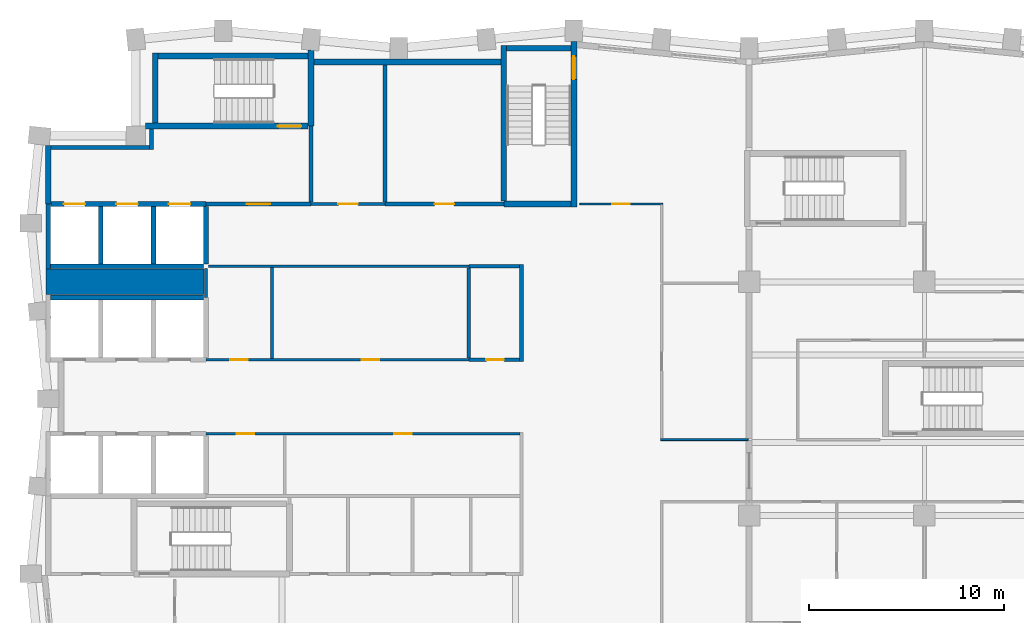
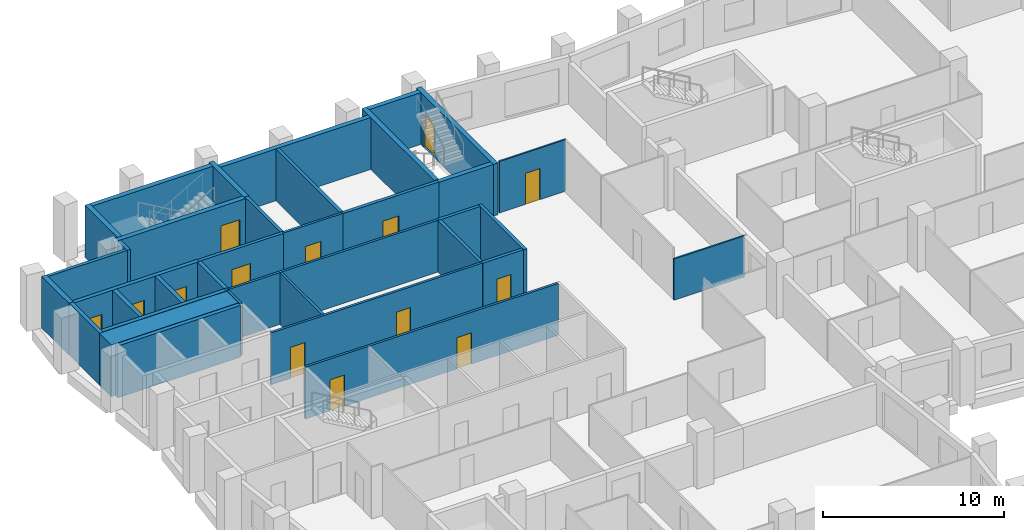
# One storey, part 6 of 10: 36 walls, 14 doors, 14 openings.
"""IFC4 building model written with IfcOpenShell, lengths in metres."""

from ifc_helpers import new_model, si_unit, direction, frame, frame_2d, origin, place, context, subcontext, project, spatial, rectangle, extrude, material, layer, layer_set, type_object, element, fill, save


model = new_model("IFC4")

# Units and contexts
model_context = context("Model", 3, precision=1e-05, world=origin(), true_north=direction((0.0, 1.0)))
body_context = subcontext(model_context, "Body", "Model", "MODEL_VIEW")
ifc_project = project(units=[si_unit("LENGTHUNIT", "METRE"), si_unit("AREAUNIT", "SQUARE_METRE"), si_unit("VOLUMEUNIT", "CUBIC_METRE"), si_unit("PLANEANGLEUNIT", "RADIAN"), si_unit("MASSUNIT", "GRAM", prefix="KILO")], contexts=[model_context])

# Site, building, storey
site_placement = place(None, origin())
site = spatial("IfcSite", under=ifc_project, at=site_placement, CompositionType="ELEMENT")
building_placement = place(site_placement, origin())
building = spatial("IfcBuilding", under=site, at=building_placement, Name="Brondeck Convention Tower", CompositionType="ELEMENT")
storey_placement = place(building_placement, frame((0.0, 0.0, 170.0)))
storey = spatial("IfcBuildingStorey", under=building, at=storey_placement, Name="L41", CompositionType="ELEMENT", Elevation=170.0)

# Walls
ifc_material_1 = material(Name="Concrete C70/85", Category="concrete")
ifc_layer_1 = layer(ifc_material_1, 0.199951171875)
ifc_layer_set_1 = layer_set([ifc_layer_1], Name="Core beam-seat wall 200 Concrete C70/85")
wall_type_1 = type_object("IfcWallType", Name="Core beam-seat wall 200 Concrete C70/85", PredefinedType="SHEAR", material=ifc_layer_set_1)
wall_1_placement = place(storey_placement, frame((24.300048828125, 46.89990234375, 0.0), z_axis=(0.0, 0.0, 1.0), x_axis=(0.0, 1.0, 0.0)))
element("IfcWall", 1, at=wall_1_placement, inside=storey, type_object=wall_type_1, Name="L41 core wall", PredefinedType="SHEAR", context=body_context, shape_type="SweptSolid", body=[
    extrude(rectangle(XDim=5.0, YDim=0.199951171875, at=frame_2d((2.5, 0.0))), origin(), (0.0, 0.0, 1.0), 3.5),
])
ifc_layer_2 = layer(ifc_material_1, 0.300048828125)
ifc_layer_set_2 = layer_set([ifc_layer_2], Name="Core outer wall 300 Concrete C70/85")
wall_type_2 = type_object("IfcWallType", Name="Core outer wall 300 Concrete C70/85", PredefinedType="SHEAR", material=ifc_layer_set_2)
wall_2_placement = place(storey_placement, frame((13.64990234375, 62.300048828125, 0.0), z_axis=(0.0, 0.0, 1.0), x_axis=(1.0, 0.0, 0.0)))
element("IfcWall", 2, at=wall_2_placement, inside=storey, type_object=wall_type_2, Name="L41 core wall", PredefinedType="SHEAR", context=body_context, shape_type="SweptSolid", body=[
    extrude(rectangle(XDim=9.60009765625, YDim=0.300048828125, at=frame_2d((4.800048828125, 0.0))), origin(), (0.0, 0.0, 1.0), 3.5),
])
wall_3_placement = place(storey_placement, frame((0.0, 55.0, 0.0), z_axis=(0.0, 0.0, 1.0), x_axis=(0.0, 1.0, 0.0)))
element("IfcWall", 3, at=wall_3_placement, inside=storey, type_object=wall_type_2, Name="L41 core wall", PredefinedType="SHEAR", context=body_context, shape_type="SweptSolid", body=[
    extrude(rectangle(XDim=3.0, YDim=0.300048828125, at=frame_2d((1.5, 0.0))), origin(), (0.0, 0.0, 1.0), 3.5),
])

# Wall, openings, doors
ifc_material_2 = material(Name="Fire-rated gypsum board partition")
ifc_layer_3 = layer(ifc_material_2, 0.14990234375)
ifc_layer_set_3 = layer_set([ifc_layer_3], Name="Core partition 150 EI 60")
wall_type_3 = type_object("IfcWallType", Name="Core partition 150 EI 60", PredefinedType="PARTITIONING", material=ifc_layer_set_3)
wall_4_placement = place(storey_placement, frame((8.10009765625, 43.199951171875, 0.0), z_axis=(0.0, 0.0, 1.0), x_axis=(1.0, 0.0, 0.0)))
wall_4 = element("IfcWall", 4, at=wall_4_placement, inside=storey, type_object=wall_type_3, Name="L41 core wall", PredefinedType="PARTITIONING", context=body_context, shape_type="SweptSolid", body=[
    extrude(rectangle(XDim=16.125, YDim=0.14990234375, at=frame_2d((8.0625, 0.0))), origin(), (0.0, 0.0, 1.0), 3.5),
])
opening_1_placement = place(wall_4_placement, frame((1.574951171875, 0.0, 0.0)))
opening_1 = element("IfcOpeningElement", 5, at=opening_1_placement, cuts=wall_4, Name="Opening C23-10", PredefinedType="OPENING", context=body_context, shape_type="SweptSolid", body=[
    extrude(rectangle(XDim=0.89990234375, YDim=2.10009765625, at=frame_2d((0.449951171875, 1.050048828125))), frame((0.0, 0.0849609375, 0.0), z_axis=(0.0, -1.0, 0.0), x_axis=(1.0, 0.0, 0.0)), (0.0, 0.0, 1.0), 0.169921875),
])
opening_2_placement = place(wall_4_placement, frame((9.675048828125, 0.0, 0.0)))
opening_2 = element("IfcOpeningElement", 6, at=opening_2_placement, cuts=wall_4, Name="Opening C23-11", PredefinedType="OPENING", context=body_context, shape_type="SweptSolid", body=[
    extrude(rectangle(XDim=0.89990234375, YDim=2.10009765625, at=frame_2d((0.449951171875, 1.050048828125))), frame((0.0, 0.0849609375, 0.0), z_axis=(0.0, -1.0, 0.0), x_axis=(1.0, 0.0, 0.0)), (0.0, 0.0, 1.0), 0.169921875),
])
ifc_material_3 = material(Name="Steel fire door", Category="steel")
door_type_1 = type_object("IfcDoorType", Name="Room door 900x2100 EI 60", OperationType="NOTDEFINED", PredefinedType="DOOR", material=ifc_material_3)
door_1_placement = place(opening_1_placement, origin())
door_1 = element("IfcDoor", 7, at=door_1_placement, inside=storey, type_object=door_type_1, Name="L41 Room door FZ-S-8.1-1", OperationType="SINGLE_SWING_RIGHT", OverallHeight=2.10009765625, OverallWidth=0.89990234375, PredefinedType="DOOR", context=body_context, shape_type="SweptSolid", body=[
    extrude(rectangle(XDim=0.89990234375, YDim=2.10009765625, at=frame_2d((0.449951171875, 1.050048828125))), frame((0.0, 0.02490234375, 0.0), z_axis=(0.0, -1.0, 0.0), x_axis=(1.0, 0.0, 0.0)), (0.0, 0.0, 1.0), 0.050048828125),
])
fill(opening_1, door_1)
door_2_placement = place(opening_2_placement, origin())
door_2 = element("IfcDoor", 8, at=door_2_placement, inside=storey, type_object=door_type_1, Name="L41 Room door FZ-S-8.1-2", OperationType="SINGLE_SWING_LEFT", OverallHeight=2.10009765625, OverallWidth=0.89990234375, PredefinedType="DOOR", context=body_context, shape_type="SweptSolid", body=[
    extrude(rectangle(XDim=0.89990234375, YDim=2.10009765625, at=frame_2d((0.449951171875, 1.050048828125))), frame((0.0, 0.02490234375, 0.0), z_axis=(0.0, -1.0, 0.0), x_axis=(1.0, 0.0, 0.0)), (0.0, 0.0, 1.0), 0.050048828125),
])
fill(opening_2, door_2)

wall_5_placement = place(storey_placement, frame((8.10009765625, 47.0, 0.0), z_axis=(0.0, 0.0, 1.0), x_axis=(1.0, 0.0, 0.0)))
wall_5 = element("IfcWall", 9, at=wall_5_placement, inside=storey, type_object=wall_type_3, Name="L41 core wall", PredefinedType="PARTITIONING", context=body_context, shape_type="SweptSolid", body=[
    extrude(rectangle(XDim=13.5, YDim=0.14990234375, at=frame_2d((6.75, 0.0))), origin(), (0.0, 0.0, 1.0), 3.5),
])
opening_3_placement = place(wall_5_placement, frame((1.25, 0.0, 0.0)))
opening_3 = element("IfcOpeningElement", 10, at=opening_3_placement, cuts=wall_5, Name="Opening C23-08", PredefinedType="OPENING", context=body_context, shape_type="SweptSolid", body=[
    extrude(rectangle(XDim=0.89990234375, YDim=2.10009765625, at=frame_2d((0.449951171875, 1.050048828125))), frame((0.0, 0.0849609375, 0.0), z_axis=(0.0, -1.0, 0.0), x_axis=(1.0, 0.0, 0.0)), (0.0, 0.0, 1.0), 0.169921875),
])
opening_4_placement = place(wall_5_placement, frame((8.0, 0.0, 0.0)))
opening_4 = element("IfcOpeningElement", 11, at=opening_4_placement, cuts=wall_5, Name="Opening C23-09", PredefinedType="OPENING", context=body_context, shape_type="SweptSolid", body=[
    extrude(rectangle(XDim=0.89990234375, YDim=2.10009765625, at=frame_2d((0.449951171875, 1.050048828125))), frame((0.0, 0.0849609375, 0.0), z_axis=(0.0, -1.0, 0.0), x_axis=(1.0, 0.0, 0.0)), (0.0, 0.0, 1.0), 0.169921875),
])
door_3_placement = place(opening_3_placement, origin())
door_3 = element("IfcDoor", 12, at=door_3_placement, inside=storey, type_object=door_type_1, Name="L41 Room door FZ-N-8.1-1", OperationType="SINGLE_SWING_LEFT", OverallHeight=2.10009765625, OverallWidth=0.89990234375, PredefinedType="DOOR", context=body_context, shape_type="SweptSolid", body=[
    extrude(rectangle(XDim=0.89990234375, YDim=2.10009765625, at=frame_2d((0.449951171875, 1.050048828125))), frame((0.0, 0.02490234375, 0.0), z_axis=(0.0, -1.0, 0.0), x_axis=(1.0, 0.0, 0.0)), (0.0, 0.0, 1.0), 0.050048828125),
])
fill(opening_3, door_3)
door_4_placement = place(opening_4_placement, origin())
door_4 = element("IfcDoor", 13, at=door_4_placement, inside=storey, type_object=door_type_1, Name="L41 Room door FZ-N-8.1-2", OperationType="SINGLE_SWING_RIGHT", OverallHeight=2.10009765625, OverallWidth=0.89990234375, PredefinedType="DOOR", context=body_context, shape_type="SweptSolid", body=[
    extrude(rectangle(XDim=0.89990234375, YDim=2.10009765625, at=frame_2d((0.449951171875, 1.050048828125))), frame((0.0, 0.02490234375, 0.0), z_axis=(0.0, -1.0, 0.0), x_axis=(1.0, 0.0, 0.0)), (0.0, 0.0, 1.0), 0.050048828125),
])
fill(opening_4, door_4)

# Wall
wall_6_placement = place(storey_placement, frame((8.22509765625, 51.800048828125, 0.0), z_axis=(0.0, 0.0, 1.0), x_axis=(1.0, 0.0, 0.0)))
element("IfcWall", 14, at=wall_6_placement, inside=storey, type_object=wall_type_3, Name="L41 core wall", PredefinedType="PARTITIONING", context=body_context, shape_type="SweptSolid", body=[
    extrude(rectangle(XDim=13.375, YDim=0.14990234375, at=frame_2d((6.6875, 0.0))), origin(), (0.0, 0.0, 1.0), 3.5),
])

# Wall, opening, door
wall_7_placement = place(storey_placement, frame((13.5, 55.0, 0.0), z_axis=(0.0, 0.0, 1.0), x_axis=(1.0, 0.0, 0.0)))
wall_7 = element("IfcWall", 15, at=wall_7_placement, inside=storey, type_object=wall_type_3, Name="L41 core wall", PredefinedType="PARTITIONING", context=body_context, shape_type="SweptSolid", body=[
    extrude(rectangle(XDim=3.800048828125, YDim=0.14990234375, at=frame_2d((1.89990234375, 0.0))), origin(), (0.0, 0.0, 1.0), 3.5),
])
opening_5_placement = place(wall_7_placement, frame((1.39990234375, 0.0, 0.0)))
opening_5 = element("IfcOpeningElement", 16, at=opening_5_placement, cuts=wall_7, Name="Opening C23-12", PredefinedType="OPENING", context=body_context, shape_type="SweptSolid", body=[
    extrude(rectangle(XDim=1.0, YDim=2.10009765625, at=frame_2d((0.5, 1.050048828125))), frame((0.0, 0.0849609375, 0.0), z_axis=(0.0, -1.0, 0.0), x_axis=(1.0, 0.0, 0.0)), (0.0, 0.0, 1.0), 0.169921875),
])
door_type_2 = type_object("IfcDoorType", Name="Room door 1000x2100 EI 60", OperationType="NOTDEFINED", PredefinedType="DOOR", material=ifc_material_3)
door_5_placement = place(opening_5_placement, origin())
door_5 = element("IfcDoor", 17, at=door_5_placement, inside=storey, type_object=door_type_2, Name="L41 Room door NE-1", OperationType="SINGLE_SWING_LEFT", OverallHeight=2.10009765625, OverallWidth=1.0, PredefinedType="DOOR", context=body_context, shape_type="SweptSolid", body=[
    extrude(rectangle(XDim=1.0, YDim=2.10009765625, at=frame_2d((0.5, 1.050048828125))), frame((0.0, 0.02490234375, 0.0), z_axis=(0.0, -1.0, 0.0), x_axis=(1.0, 0.0, 0.0)), (0.0, 0.0, 1.0), 0.050048828125),
])
fill(opening_5, door_5)

# Walls
wall_8_placement = place(storey_placement, frame((8.10009765625, 50.199951171875, 0.0), z_axis=(0.0, 0.0, 1.0), x_axis=(0.0, 1.0, 0.0)))
element("IfcWall", 18, at=wall_8_placement, inside=storey, type_object=wall_type_3, Name="L41 core wall", PredefinedType="PARTITIONING", context=body_context, shape_type="SweptSolid", body=[
    extrude(rectangle(XDim=1.47509765625, YDim=0.14990234375, at=frame_2d((0.737548828125, 0.0))), origin(), (0.0, 0.0, 1.0), 3.5),
])
wall_9_placement = place(storey_placement, frame((11.5, 47.074951171875, 0.0), z_axis=(0.0, 0.0, 1.0), x_axis=(0.0, 1.0, 0.0)))
element("IfcWall", 19, at=wall_9_placement, inside=storey, type_object=wall_type_3, Name="L41 core wall", PredefinedType="PARTITIONING", context=body_context, shape_type="SweptSolid", body=[
    extrude(rectangle(XDim=4.650146484375, YDim=0.14990234375, at=frame_2d((2.3251953125, 0.0))), origin(), (0.0, 0.0, 1.0), 3.5),
])
ifc_layer_4 = layer(ifc_material_1, 1.300048828125)
ifc_layer_set_4 = layer_set([ifc_layer_4], Name="Core shear wall 1300 Concrete C70/85")
wall_type_4 = type_object("IfcWallType", Name="Core shear wall 1300 Concrete C70/85", PredefinedType="SHEAR", material=ifc_layer_set_4)
wall_10_placement = place(storey_placement, frame((-0.125, 51.0, 0.0), z_axis=(0.0, 0.0, 1.0), x_axis=(1.0, 0.0, 0.0)))
element("IfcWall", 20, at=wall_10_placement, inside=storey, type_object=wall_type_4, Name="L41 core wall", PredefinedType="SHEAR", context=body_context, shape_type="SweptSolid", body=[
    extrude(rectangle(XDim=8.125, YDim=1.300048828125, at=frame_2d((4.0625, 0.0))), origin(), (0.0, 0.0, 1.0), 3.5),
])

# Wall, opening, door
ifc_layer_5 = layer(ifc_material_2, 0.199951171875)
ifc_layer_set_5 = layer_set([ifc_layer_5], Name="Firefighting lobby wall 200 EI 120")
wall_type_5 = type_object("IfcWallType", Name="Firefighting lobby wall 200 EI 120", PredefinedType="PARTITIONING", material=ifc_layer_set_5)
wall_11_placement = place(storey_placement, frame((8.10009765625, 55.0, 0.0), z_axis=(0.0, 0.0, 1.0), x_axis=(1.0, 0.0, 0.0)))
wall_11 = element("IfcWall", 21, at=wall_11_placement, inside=storey, type_object=wall_type_5, Name="L41 core wall", PredefinedType="PARTITIONING", context=body_context, shape_type="SweptSolid", body=[
    extrude(rectangle(XDim=5.39990234375, YDim=0.199951171875, at=frame_2d((2.699951171875, 0.0))), origin(), (0.0, 0.0, 1.0), 3.5),
])
opening_6_placement = place(wall_11_placement, frame((2.10009765625, 0.0, 0.0)))
opening_6 = element("IfcOpeningElement", 22, at=opening_6_placement, cuts=wall_11, Name="Opening C23-01", PredefinedType="OPENING", context=body_context, shape_type="SweptSolid", body=[
    extrude(rectangle(XDim=1.199951171875, YDim=2.199951171875, at=frame_2d((0.60009765625, 1.10009765625))), frame((0.0, 0.10986328125, 0.0), z_axis=(0.0, -1.0, 0.0), x_axis=(1.0, 0.0, 0.0)), (0.0, 0.0, 1.0), 0.219970703125),
])
door_type_3 = type_object("IfcDoorType", Name="Firefighting lobby door 1200x2200 EI 120", OperationType="NOTDEFINED", PredefinedType="DOOR", material=ifc_material_3)
door_6_placement = place(opening_6_placement, origin())
door_6 = element("IfcDoor", 23, at=door_6_placement, inside=storey, type_object=door_type_3, Name="L41 Firefighting lobby door FFL-1", OperationType="SINGLE_SWING_RIGHT", OverallHeight=2.199951171875, OverallWidth=1.199951171875, PredefinedType="DOOR", context=body_context, shape_type="SweptSolid", body=[
    extrude(rectangle(XDim=1.199951171875, YDim=2.199951171875, at=frame_2d((0.60009765625, 1.10009765625))), frame((0.0, 0.02490234375, 0.0), z_axis=(0.0, -1.0, 0.0), x_axis=(1.0, 0.0, 0.0)), (0.0, 0.0, 1.0), 0.050048828125),
])
fill(opening_6, door_6)

# Walls
wall_12_placement = place(storey_placement, frame((0.14990234375, 57.89990234375, 0.0), z_axis=(0.0, 0.0, 1.0), x_axis=(1.0, 0.0, 0.0)))
element("IfcWall", 24, at=wall_12_placement, inside=storey, type_object=wall_type_5, Name="L41 core wall", PredefinedType="PARTITIONING", context=body_context, shape_type="SweptSolid", body=[
    extrude(rectangle(XDim=5.050048828125, YDim=0.199951171875, at=frame_2d((2.52490234375, 0.0))), origin(), (0.0, 0.0, 1.0), 3.5),
])
wall_13_placement = place(storey_placement, frame((5.300048828125, 57.800048828125, 0.0), z_axis=(0.0, 0.0, 1.0), x_axis=(0.0, 1.0, 0.0)))
element("IfcWall", 25, at=wall_13_placement, inside=storey, type_object=wall_type_5, Name="L41 core wall", PredefinedType="PARTITIONING", context=body_context, shape_type="SweptSolid", body=[
    extrude(rectangle(XDim=1.050048828125, YDim=0.199951171875, at=frame_2d((0.52490234375, 0.0))), origin(), (0.0, 0.0, 1.0), 3.5),
])
wall_14_placement = place(storey_placement, frame((13.5, 55.10009765625, 0.0), z_axis=(0.0, 0.0, 1.0), x_axis=(0.0, 1.0, 0.0)))
element("IfcWall", 26, at=wall_14_placement, inside=storey, type_object=wall_type_5, Name="L41 core wall", PredefinedType="PARTITIONING", context=body_context, shape_type="SweptSolid", body=[
    extrude(rectangle(XDim=3.89990234375, YDim=0.199951171875, at=frame_2d((1.949951171875, 0.0))), origin(), (0.0, 0.0, 1.0), 3.5),
])
ifc_layer_6 = layer(ifc_material_1, 0.25)
ifc_layer_set_6 = layer_set([ifc_layer_6], Name="Lift shaft wall 250 Concrete C70/85")
wall_type_6 = type_object("IfcWallType", Name="Lift shaft wall 250 Concrete C70/85", PredefinedType="SHEAR", material=ifc_layer_set_6)
for number, where, z_axis, x_axis, name in (
    (27, (0.125, 50.199951171875, 0.0), (0.0, 0.0, 1.0), (1.0, 0.0, 0.0), "L41 core wall"),
    (28, (0.125, 51.800048828125, 0.0), (0.0, 0.0, 1.0), (1.0, 0.0, 0.0), "L41 core wall"),
):
    element("IfcWall", number, at=place(storey_placement, frame(where, z_axis=z_axis, x_axis=x_axis)), inside=storey, type_object=wall_type_6, Name=name, PredefinedType="SHEAR", context=body_context, shape_type="SweptSolid", body=[
        extrude(rectangle(XDim=7.85009765625, YDim=0.25, at=frame_2d((3.925048828125, 0.0))), origin(), (0.0, 0.0, 1.0), 3.5),
    ])

# Wall, openings, doors
wall_15_placement = place(storey_placement, frame((0.14990234375, 55.0, 0.0), z_axis=(0.0, 0.0, 1.0), x_axis=(1.0, 0.0, 0.0)))
wall_15 = element("IfcWall", 29, at=wall_15_placement, inside=storey, type_object=wall_type_6, Name="L41 core wall", PredefinedType="SHEAR", context=body_context, shape_type="SweptSolid", body=[
    extrude(rectangle(XDim=7.9501953125, YDim=0.25, at=frame_2d((3.97509765625, 0.0))), origin(), (0.0, 0.0, 1.0), 3.5),
])
opening_7_placement = place(wall_15_placement, frame((0.64990234375, 0.0, 0.0)))
opening_7 = element("IfcOpeningElement", 30, at=opening_7_placement, cuts=wall_15, Name="Opening C23-21", PredefinedType="OPENING", context=body_context, shape_type="SweptSolid", body=[
    extrude(rectangle(XDim=1.10009765625, YDim=2.10009765625, at=frame_2d((0.550048828125, 1.050048828125))), frame((0.0, 0.135009765625, 0.0), z_axis=(0.0, -1.0, 0.0), x_axis=(1.0, 0.0, 0.0)), (0.0, 0.0, 1.0), 0.27001953125),
])
opening_8_placement = place(wall_15_placement, frame((3.35009765625, 0.0, 0.0)))
opening_8 = element("IfcOpeningElement", 31, at=opening_8_placement, cuts=wall_15, Name="Opening C23-22", PredefinedType="OPENING", context=body_context, shape_type="SweptSolid", body=[
    extrude(rectangle(XDim=1.10009765625, YDim=2.10009765625, at=frame_2d((0.550048828125, 1.050048828125))), frame((0.0, 0.135009765625, 0.0), z_axis=(0.0, -1.0, 0.0), x_axis=(1.0, 0.0, 0.0)), (0.0, 0.0, 1.0), 0.27001953125),
])
opening_9_placement = place(wall_15_placement, frame((6.050048828125, 0.0, 0.0)))
opening_9 = element("IfcOpeningElement", 32, at=opening_9_placement, cuts=wall_15, Name="Opening C23-23", PredefinedType="OPENING", context=body_context, shape_type="SweptSolid", body=[
    extrude(rectangle(XDim=1.10009765625, YDim=2.10009765625, at=frame_2d((0.550048828125, 1.050048828125))), frame((0.0, 0.135009765625, 0.0), z_axis=(0.0, -1.0, 0.0), x_axis=(1.0, 0.0, 0.0)), (0.0, 0.0, 1.0), 0.27001953125),
])
ifc_material_4 = material(Name="Stainless steel lift door", Category="steel")
door_type_4 = type_object("IfcDoorType", Name="Lift landing door 1100x2100 EI 180", OperationType="DOUBLE_DOOR_SLIDING", PredefinedType="DOOR", material=ifc_material_4)
door_7_placement = place(opening_7_placement, origin())
door_7 = element("IfcDoor", 33, at=door_7_placement, inside=storey, type_object=door_type_4, Name="L41 Lift landing door FF1", OperationType="DOUBLE_DOOR_SLIDING", OverallHeight=2.10009765625, OverallWidth=1.10009765625, PredefinedType="DOOR", context=body_context, shape_type="SweptSolid", body=[
    extrude(rectangle(XDim=1.10009765625, YDim=2.10009765625, at=frame_2d((0.550048828125, 1.050048828125))), frame((0.0, 0.02490234375, 0.0), z_axis=(0.0, -1.0, 0.0), x_axis=(1.0, 0.0, 0.0)), (0.0, 0.0, 1.0), 0.050048828125),
])
fill(opening_7, door_7)
door_8_placement = place(opening_8_placement, origin())
door_8 = element("IfcDoor", 34, at=door_8_placement, inside=storey, type_object=door_type_4, Name="L41 Lift landing door FF2", OperationType="DOUBLE_DOOR_SLIDING", OverallHeight=2.10009765625, OverallWidth=1.10009765625, PredefinedType="DOOR", context=body_context, shape_type="SweptSolid", body=[
    extrude(rectangle(XDim=1.10009765625, YDim=2.10009765625, at=frame_2d((0.550048828125, 1.050048828125))), frame((0.0, 0.02490234375, 0.0), z_axis=(0.0, -1.0, 0.0), x_axis=(1.0, 0.0, 0.0)), (0.0, 0.0, 1.0), 0.050048828125),
])
fill(opening_8, door_8)
door_9_placement = place(opening_9_placement, origin())
door_9 = element("IfcDoor", 35, at=door_9_placement, inside=storey, type_object=door_type_4, Name="L41 Lift landing door FF3", OperationType="DOUBLE_DOOR_SLIDING", OverallHeight=2.10009765625, OverallWidth=1.10009765625, PredefinedType="DOOR", context=body_context, shape_type="SweptSolid", body=[
    extrude(rectangle(XDim=1.10009765625, YDim=2.10009765625, at=frame_2d((0.550048828125, 1.050048828125))), frame((0.0, 0.02490234375, 0.0), z_axis=(0.0, -1.0, 0.0), x_axis=(1.0, 0.0, 0.0)), (0.0, 0.0, 1.0), 0.050048828125),
])
fill(opening_9, door_9)

# Walls
wall_16_placement = place(storey_placement, frame((0.0, 51.64990234375, 0.0), z_axis=(0.0, 0.0, 1.0), x_axis=(0.0, 1.0, 0.0)))
element("IfcWall", 36, at=wall_16_placement, inside=storey, type_object=wall_type_6, Name="L41 core wall", PredefinedType="SHEAR", context=body_context, shape_type="SweptSolid", body=[
    extrude(rectangle(XDim=3.35009765625, YDim=0.25, at=frame_2d((1.675048828125, 0.0))), origin(), (0.0, 0.0, 1.0), 3.5),
])
for number, where, z_axis, x_axis, name in (
    (37, (2.699951171875, 51.925048828125, 0.0), (0.0, 0.0, 1.0), (0.0, 1.0, 0.0), "L41 core wall"),
    (38, (5.39990234375, 51.925048828125, 0.0), (0.0, 0.0, 1.0), (0.0, 1.0, 0.0), "L41 core wall"),
    (39, (8.10009765625, 51.925048828125, 0.0), (0.0, 0.0, 1.0), (0.0, 1.0, 0.0), "L41 core wall"),
):
    element("IfcWall", number, at=place(storey_placement, frame(where, z_axis=z_axis, x_axis=x_axis)), inside=storey, type_object=wall_type_6, Name=name, PredefinedType="SHEAR", context=body_context, shape_type="SweptSolid", body=[
        extrude(rectangle(XDim=2.949951171875, YDim=0.25, at=frame_2d((1.47509765625, 0.0))), origin(), (0.0, 0.0, 1.0), 3.5),
    ])

# Wall, opening, door
ifc_layer_7 = layer(ifc_material_2, 0.199951171875)
ifc_layer_set_7 = layer_set([ifc_layer_7], Name="Riser wall 200 EI 120")
wall_type_7 = type_object("IfcWallType", Name="Riser wall 200 EI 120", PredefinedType="PARTITIONING", material=ifc_layer_set_7)
wall_17_placement = place(storey_placement, frame((21.60009765625, 47.0, 0.0), z_axis=(0.0, 0.0, 1.0), x_axis=(1.0, 0.0, 0.0)))
wall_17 = element("IfcWall", 40, at=wall_17_placement, inside=storey, type_object=wall_type_7, Name="L41 core wall", PredefinedType="PARTITIONING", context=body_context, shape_type="SweptSolid", body=[
    extrude(rectangle(XDim=2.599853515625, YDim=0.199951171875, at=frame_2d((1.2998046875, 0.0))), origin(), (0.0, 0.0, 1.0), 3.5),
])
opening_10_placement = place(wall_17_placement, frame((0.89990234375, 0.0, 0.0)))
opening_10 = element("IfcOpeningElement", 41, at=opening_10_placement, cuts=wall_17, Name="Opening C23-02", PredefinedType="OPENING", context=body_context, shape_type="SweptSolid", body=[
    extrude(rectangle(XDim=0.89990234375, YDim=2.10009765625, at=frame_2d((0.449951171875, 1.050048828125))), frame((0.0, 0.10986328125, 0.0), z_axis=(0.0, -1.0, 0.0), x_axis=(1.0, 0.0, 0.0)), (0.0, 0.0, 1.0), 0.219970703125),
])
door_type_5 = type_object("IfcDoorType", Name="Riser door 900x2100 EI 120", OperationType="NOTDEFINED", PredefinedType="DOOR", material=ifc_material_3)
door_10_placement = place(opening_10_placement, origin())
door_10 = element("IfcDoor", 42, at=door_10_placement, inside=storey, type_object=door_type_5, Name="L41 Riser door EN-1", OperationType="SINGLE_SWING_LEFT", OverallHeight=2.10009765625, OverallWidth=0.89990234375, PredefinedType="DOOR", context=body_context, shape_type="SweptSolid", body=[
    extrude(rectangle(XDim=0.89990234375, YDim=2.10009765625, at=frame_2d((0.449951171875, 1.050048828125))), frame((0.0, 0.02490234375, 0.0), z_axis=(0.0, -1.0, 0.0), x_axis=(1.0, 0.0, 0.0)), (0.0, 0.0, 1.0), 0.050048828125),
])
fill(opening_10, door_10)

# Wall
wall_18_placement = place(storey_placement, frame((21.60009765625, 51.800048828125, 0.0), z_axis=(0.0, 0.0, 1.0), x_axis=(1.0, 0.0, 0.0)))
element("IfcWall", 43, at=wall_18_placement, inside=storey, type_object=wall_type_7, Name="L41 core wall", PredefinedType="PARTITIONING", context=body_context, shape_type="SweptSolid", body=[
    extrude(rectangle(XDim=2.599853515625, YDim=0.199951171875, at=frame_2d((1.2998046875, 0.0))), origin(), (0.0, 0.0, 1.0), 3.5),
])

# Wall, opening, door
wall_19_placement = place(storey_placement, frame((17.300048828125, 55.0, 0.0), z_axis=(0.0, 0.0, 1.0), x_axis=(1.0, 0.0, 0.0)))
wall_19 = element("IfcWall", 44, at=wall_19_placement, inside=storey, type_object=wall_type_7, Name="L41 core wall", PredefinedType="PARTITIONING", context=body_context, shape_type="SweptSolid", body=[
    extrude(rectangle(XDim=6.099853515625, YDim=0.199951171875, at=frame_2d((3.0498046875, 0.0))), origin(), (0.0, 0.0, 1.0), 3.5),
])
opening_11_placement = place(wall_19_placement, frame((2.550048828125, 0.0, 0.0)))
opening_11 = element("IfcOpeningElement", 45, at=opening_11_placement, cuts=wall_19, Name="Opening C23-13", PredefinedType="OPENING", context=body_context, shape_type="SweptSolid", body=[
    extrude(rectangle(XDim=1.0, YDim=2.10009765625, at=frame_2d((0.5, 1.050048828125))), frame((0.0, 0.10986328125, 0.0), z_axis=(0.0, -1.0, 0.0), x_axis=(1.0, 0.0, 0.0)), (0.0, 0.0, 1.0), 0.219970703125),
])
door_type_6 = type_object("IfcDoorType", Name="Riser door 1000x2100 EI 120", OperationType="NOTDEFINED", PredefinedType="DOOR", material=ifc_material_3)
door_11_placement = place(opening_11_placement, origin())
door_11 = element("IfcDoor", 46, at=door_11_placement, inside=storey, type_object=door_type_6, Name="L41 Riser door NE-2", OperationType="SINGLE_SWING_RIGHT", OverallHeight=2.10009765625, OverallWidth=1.0, PredefinedType="DOOR", context=body_context, shape_type="SweptSolid", body=[
    extrude(rectangle(XDim=1.0, YDim=2.10009765625, at=frame_2d((0.5, 1.050048828125))), frame((0.0, 0.02490234375, 0.0), z_axis=(0.0, -1.0, 0.0), x_axis=(1.0, 0.0, 0.0)), (0.0, 0.0, 1.0), 0.050048828125),
])
fill(opening_11, door_11)

# Walls
wall_20_placement = place(storey_placement, frame((17.300048828125, 55.10009765625, 0.0), z_axis=(0.0, 0.0, 1.0), x_axis=(0.0, 1.0, 0.0)))
element("IfcWall", 47, at=wall_20_placement, inside=storey, type_object=wall_type_7, Name="L41 core wall", PredefinedType="PARTITIONING", context=body_context, shape_type="SweptSolid", body=[
    extrude(rectangle(XDim=7.0498046875, YDim=0.199951171875, at=frame_2d((3.52490234375, 0.0))), origin(), (0.0, 0.0, 1.0), 3.5),
])
wall_21_placement = place(storey_placement, frame((21.60009765625, 47.10009765625, 0.0), z_axis=(0.0, 0.0, 1.0), x_axis=(0.0, 1.0, 0.0)))
element("IfcWall", 48, at=wall_21_placement, inside=storey, type_object=wall_type_7, Name="L41 core wall", PredefinedType="PARTITIONING", context=body_context, shape_type="SweptSolid", body=[
    extrude(rectangle(XDim=4.599853515625, YDim=0.199951171875, at=frame_2d((2.2998046875, 0.0))), origin(), (0.0, 0.0, 1.0), 3.5),
])
ifc_material_5 = material(Name="Gypsum board partition on steel studs", Category="steel")
ifc_layer_8 = layer(ifc_material_5, 0.10009765625)
ifc_layer_set_8 = layer_set([ifc_layer_8], Name="Room partition 100")
wall_type_8 = type_object("IfcWallType", Name="Room partition 100", PredefinedType="PARTITIONING", material=ifc_layer_set_8)
wall_22_placement = place(storey_placement, frame((31.449951171875, 42.89990234375, 0.0), z_axis=(0.0, 0.0, 1.0), x_axis=(1.0, 0.0, 0.0)))
element("IfcWall", 49, at=wall_22_placement, inside=storey, type_object=wall_type_8, Name="FLR-L41-W054", PredefinedType="PARTITIONING", context=body_context, shape_type="SweptSolid", body=[
    extrude(rectangle(XDim=4.5, YDim=0.10009765625, at=frame_2d((2.25, 0.0))), origin(), (0.0, 0.0, 1.0), 2.780029296875),
])

# Wall, opening, door
wall_23_placement = place(storey_placement, frame((27.300048828125, 55.0, 0.0), z_axis=(0.0, 0.0, 1.0), x_axis=(1.0, 0.0, 0.0)))
wall_23 = element("IfcWall", 50, at=wall_23_placement, inside=storey, type_object=wall_type_8, Name="FLR-L41-W071", PredefinedType="PARTITIONING", context=body_context, shape_type="SweptSolid", body=[
    extrude(rectangle(XDim=4.25, YDim=0.10009765625, at=frame_2d((2.125, 0.0))), origin(), (0.0, 0.0, 1.0), 3.47998046875),
])
opening_12_placement = place(wall_23_placement, frame((1.675048828125, 0.0, 0.0)))
opening_12 = element("IfcOpeningElement", 51, at=opening_12_placement, cuts=wall_23, Name="Opening OF-H-020", PredefinedType="OPENING", context=body_context, shape_type="SweptSolid", body=[
    extrude(rectangle(XDim=0.89990234375, YDim=2.10009765625, at=frame_2d((0.449951171875, 1.050048828125))), frame((0.0, 0.06005859375, 0.0), z_axis=(0.0, -1.0, 0.0), x_axis=(1.0, 0.0, 0.0)), (0.0, 0.0, 1.0), 0.1201171875),
])
ifc_material_6 = material(Name="Solid timber door leaf", Category="wood")
door_type_7 = type_object("IfcDoorType", Name="Single door 900", OperationType="NOTDEFINED", PredefinedType="DOOR", material=ifc_material_6)
door_12_placement = place(opening_12_placement, origin())
door_12 = element("IfcDoor", 52, at=door_12_placement, inside=storey, type_object=door_type_7, Name="Door OF-H-020", OperationType="SINGLE_SWING_LEFT", OverallHeight=2.10009765625, OverallWidth=0.89990234375, PredefinedType="DOOR", context=body_context, shape_type="SweptSolid", body=[
    extrude(rectangle(XDim=0.89990234375, YDim=2.10009765625, at=frame_2d((0.449951171875, 1.050048828125))), frame((0.0, 0.02490234375, 0.0), z_axis=(0.0, -1.0, 0.0), x_axis=(1.0, 0.0, 0.0)), (0.0, 0.0, 1.0), 0.050048828125),
])
fill(opening_12, door_12)

# Wall
ifc_layer_9 = layer(ifc_material_1, 0.300048828125)
ifc_layer_set_9 = layer_set([ifc_layer_9], Name="Stair enclosure wall 300 Concrete C70/85")
wall_type_9 = type_object("IfcWallType", Name="Stair enclosure wall 300 Concrete C70/85", PredefinedType="SHEAR", material=ifc_layer_set_9)
wall_24_placement = place(storey_placement, frame((23.39990234375, 55.0, 0.0), z_axis=(0.0, 0.0, 1.0), x_axis=(1.0, 0.0, 0.0)))
element("IfcWall", 53, at=wall_24_placement, inside=storey, type_object=wall_type_9, Name="L41 core wall", PredefinedType="SHEAR", context=body_context, shape_type="SweptSolid", body=[
    extrude(rectangle(XDim=3.4501953125, YDim=0.300048828125, at=frame_2d((1.72509765625, 0.0))), origin(), (0.0, 0.0, 1.0), 3.5),
])

# Wall, opening, door
wall_25_placement = place(storey_placement, frame((5.0, 59.0, 0.0), z_axis=(0.0, 0.0, 1.0), x_axis=(1.0, 0.0, 0.0)))
wall_25 = element("IfcWall", 54, at=wall_25_placement, inside=storey, type_object=wall_type_9, Name="L41 core wall", PredefinedType="SHEAR", context=body_context, shape_type="SweptSolid", body=[
    extrude(rectangle(XDim=8.35009765625, YDim=0.300048828125, at=frame_2d((4.175048828125, 0.0))), origin(), (0.0, 0.0, 1.0), 3.5),
])
opening_13_placement = place(wall_25_placement, frame((6.800048828125, 0.0, 0.0)))
opening_13 = element("IfcOpeningElement", 55, at=opening_13_placement, cuts=wall_25, Name="Opening C23-16", PredefinedType="OPENING", context=body_context, shape_type="SweptSolid", body=[
    extrude(rectangle(XDim=1.199951171875, YDim=2.199951171875, at=frame_2d((0.60009765625, 1.10009765625))), frame((0.0, 0.159912109375, 0.0), z_axis=(0.0, -1.0, 0.0), x_axis=(1.0, 0.0, 0.0)), (0.0, 0.0, 1.0), 0.320068359375),
])
door_type_8 = type_object("IfcDoorType", Name="Stair door 1200x2200 EI 120", OperationType="NOTDEFINED", PredefinedType="DOOR", material=ifc_material_3)
door_13_placement = place(opening_13_placement, origin())
door_13 = element("IfcDoor", 56, at=door_13_placement, inside=storey, type_object=door_type_8, Name="L41 Stair door ST-3", OperationType="SINGLE_SWING_RIGHT", OverallHeight=2.199951171875, OverallWidth=1.199951171875, PredefinedType="DOOR", context=body_context, shape_type="SweptSolid", body=[
    extrude(rectangle(XDim=1.199951171875, YDim=2.199951171875, at=frame_2d((0.60009765625, 1.10009765625))), frame((0.0, 0.02490234375, 0.0), z_axis=(0.0, -1.0, 0.0), x_axis=(1.0, 0.0, 0.0)), (0.0, 0.0, 1.0), 0.050048828125),
])
fill(opening_13, door_13)

# Walls
wall_26_placement = place(storey_placement, frame((5.64990234375, 62.60009765625, 0.0), z_axis=(0.0, 0.0, 1.0), x_axis=(1.0, 0.0, 0.0)))
element("IfcWall", 57, at=wall_26_placement, inside=storey, type_object=wall_type_9, Name="L41 core wall", PredefinedType="SHEAR", context=body_context, shape_type="SweptSolid", body=[
    extrude(rectangle(XDim=7.7001953125, YDim=0.300048828125, at=frame_2d((3.85009765625, 0.0))), origin(), (0.0, 0.0, 1.0), 3.5),
])
wall_27_placement = place(storey_placement, frame((23.550048828125, 63.0, 0.0), z_axis=(0.0, 0.0, 1.0), x_axis=(1.0, 0.0, 0.0)))
element("IfcWall", 58, at=wall_27_placement, inside=storey, type_object=wall_type_9, Name="L41 core wall", PredefinedType="SHEAR", context=body_context, shape_type="SweptSolid", body=[
    extrude(rectangle(XDim=3.300048828125, YDim=0.300048828125, at=frame_2d((1.64990234375, 0.0))), origin(), (0.0, 0.0, 1.0), 3.5),
])
wall_28_placement = place(storey_placement, frame((5.5, 59.14990234375, 0.0), z_axis=(0.0, 0.0, 1.0), x_axis=(0.0, 1.0, 0.0)))
element("IfcWall", 59, at=wall_28_placement, inside=storey, type_object=wall_type_9, Name="L41 core wall", PredefinedType="SHEAR", context=body_context, shape_type="SweptSolid", body=[
    extrude(rectangle(XDim=3.60009765625, YDim=0.300048828125, at=frame_2d((1.800048828125, 0.0))), origin(), (0.0, 0.0, 1.0), 3.5),
])
wall_29_placement = place(storey_placement, frame((13.5, 59.0, 0.0), z_axis=(0.0, 0.0, 1.0), x_axis=(0.0, 1.0, 0.0)))
element("IfcWall", 60, at=wall_29_placement, inside=storey, type_object=wall_type_9, Name="L41 core wall", PredefinedType="SHEAR", context=body_context, shape_type="SweptSolid", body=[
    extrude(rectangle(XDim=3.897216796875, YDim=0.300048828125, at=frame_2d((1.94873046875, 0.0))), origin(), (0.0, 0.0, 1.0), 3.5),
])
wall_30_placement = place(storey_placement, frame((23.39990234375, 55.14990234375, 0.0), z_axis=(0.0, 0.0, 1.0), x_axis=(0.0, 1.0, 0.0)))
element("IfcWall", 61, at=wall_30_placement, inside=storey, type_object=wall_type_9, Name="L41 core wall", PredefinedType="SHEAR", context=body_context, shape_type="SweptSolid", body=[
    extrude(rectangle(XDim=8.0, YDim=0.300048828125, at=frame_2d((4.0, 0.0))), origin(), (0.0, 0.0, 1.0), 3.5),
])

# Wall, opening, door
wall_31_placement = place(storey_placement, frame((27.0, 54.85009765625, 0.0), z_axis=(0.0, 0.0, 1.0), x_axis=(0.0, 1.0, 0.0)))
wall_31 = element("IfcWall", 62, at=wall_31_placement, inside=storey, type_object=wall_type_9, Name="L41 core wall", PredefinedType="SHEAR", context=body_context, shape_type="SweptSolid", body=[
    extrude(rectangle(XDim=8.5, YDim=0.300048828125, at=frame_2d((4.25, 0.0))), origin(), (0.0, 0.0, 1.0), 3.5),
])
opening_14_placement = place(wall_31_placement, frame((6.550048828125, 0.0, 0.0)))
opening_14 = element("IfcOpeningElement", 63, at=opening_14_placement, cuts=wall_31, Name="Opening C23-15", PredefinedType="OPENING", context=body_context, shape_type="SweptSolid", body=[
    extrude(rectangle(XDim=1.199951171875, YDim=2.199951171875, at=frame_2d((0.60009765625, 1.10009765625))), frame((0.0, 0.159912109375, 0.0), z_axis=(0.0, -1.0, 0.0), x_axis=(1.0, 0.0, 0.0)), (0.0, 0.0, 1.0), 0.320068359375),
])
door_type_9 = type_object("IfcDoorType", Name="Stair door 1200x2200 EI 90", OperationType="NOTDEFINED", PredefinedType="DOOR", material=ifc_material_3)
door_14_placement = place(opening_14_placement, origin())
door_14 = element("IfcDoor", 64, at=door_14_placement, inside=storey, type_object=door_type_9, Name="L41 Stair door ST-2", OperationType="SINGLE_SWING_LEFT", OverallHeight=2.199951171875, OverallWidth=1.199951171875, PredefinedType="DOOR", context=body_context, shape_type="SweptSolid", body=[
    extrude(rectangle(XDim=1.199951171875, YDim=2.199951171875, at=frame_2d((0.60009765625, 1.10009765625))), frame((0.0, 0.02490234375, 0.0), z_axis=(0.0, -1.0, 0.0), x_axis=(1.0, 0.0, 0.0)), (0.0, 0.0, 1.0), 0.050048828125),
])
fill(opening_14, door_14)

save(model, "model.ifc")
